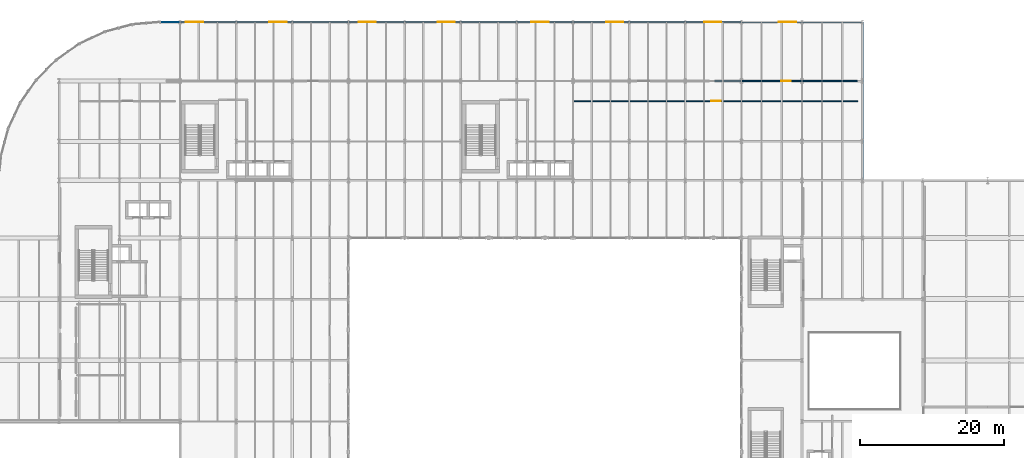
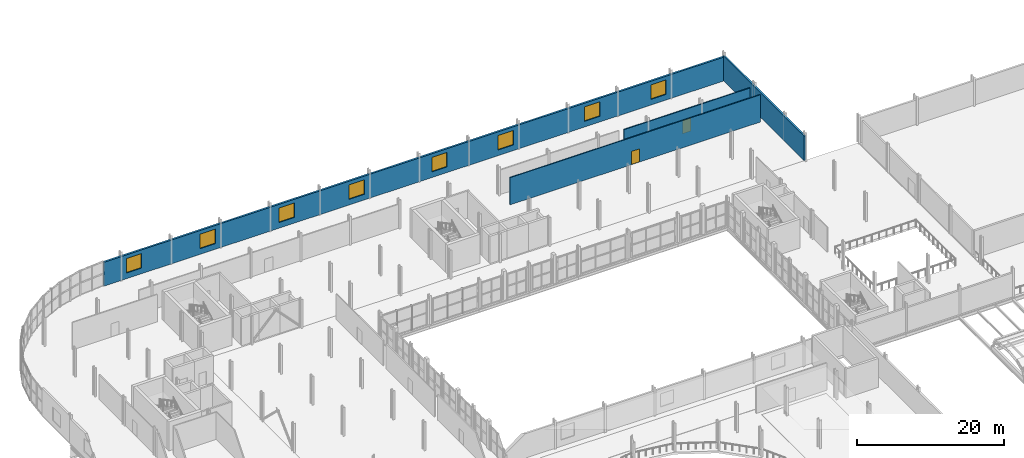
# One storey, part 53 of 63: 8 windows, 4 walls, 2 doors, 10 openings.
"""IFC4 building model written with IfcOpenShell, lengths in metres."""

from ifc_helpers import new_model, si_unit, direction, frame, frame_2d, origin, place, context, subcontext, project, spatial, rectangle, extrude, material, layer, layer_set, type_object, element, fill, save


model = new_model("IFC4")

# Units and contexts
model_context = context("Model", 3, precision=1e-05, world=origin(), true_north=direction((0.0, 1.0)))
body_context = subcontext(model_context, "Body", "Model", "MODEL_VIEW")
ifc_project = project(units=[si_unit("LENGTHUNIT", "METRE"), si_unit("AREAUNIT", "SQUARE_METRE"), si_unit("VOLUMEUNIT", "CUBIC_METRE"), si_unit("PLANEANGLEUNIT", "RADIAN"), si_unit("MASSUNIT", "GRAM", prefix="KILO")], contexts=[model_context])

# Site, building, storey
site_placement = place(None, origin())
site = spatial("IfcSite", under=ifc_project, at=site_placement, CompositionType="ELEMENT")
building_placement = place(site_placement, origin())
building = spatial("IfcBuilding", under=site, at=building_placement, Name="Sefraquen Railside Congress Hotel", CompositionType="ELEMENT")
storey_placement = place(building_placement, frame((0.0, 0.0, 11.39990234375)))
storey = spatial("IfcBuildingStorey", under=building, at=storey_placement, Name="L02", CompositionType="ELEMENT", Elevation=11.39990234375)

# Wall
ifc_material_1 = material(Name="Ochre Rabat calcarenite limestone and Concrete C40/50 backing", Category="masonry")
ifc_layer_1 = layer(ifc_material_1, 0.280029296875)
ifc_layer_set_1 = layer_set([ifc_layer_1], Name="Ochre Rabat calcarenite limestone and Concrete C40/50 backing")
wall_type_1 = type_object("IfcWallType", Name="TW-EW-280", PredefinedType="STANDARD", material=ifc_layer_set_1)
wall_1_placement = place(storey_placement, frame((120.0, 96.0, 0.0), z_axis=(0.0, 0.0, 1.0), x_axis=(0.0, 1.0, 0.0)))
element("IfcWall", 1, at=wall_1_placement, inside=storey, type_object=wall_type_1, Name="Hotel L02 east gable facade wall", PredefinedType="STANDARD", context=body_context, shape_type="SweptSolid", body=[
    extrude(rectangle(XDim=22.0, YDim=0.280029296875, at=frame_2d((11.0, 0.0))), origin(), (0.0, 0.0, 1.0), 4.110107421875),
])

# Wall, openings, windows
ifc_layer_2 = layer(ifc_material_1, 0.300048828125)
ifc_layer_set_2 = layer_set([ifc_layer_2], Name="Ochre Rabat calcarenite limestone and Concrete C40/50 backing")
wall_type_2 = type_object("IfcWallType", Name="TW-EW-300", PredefinedType="STANDARD", material=ifc_layer_set_2)
wall_2_placement = place(storey_placement, frame((22.5, 118.0, 0.0), z_axis=(0.0, 0.0, 1.0), x_axis=(1.0, 0.0, 0.0)))
wall_2 = element("IfcWall", 2, at=wall_2_placement, inside=storey, type_object=wall_type_2, Name="Hotel L02 North Boulevard limestone facade wall", PredefinedType="STANDARD", context=body_context, shape_type="SweptSolid", body=[
    extrude(rectangle(XDim=97.5, YDim=0.300048828125, at=frame_2d((48.75, 0.0))), origin(), (0.0, 0.0, 1.0), 3.960205078125),
])
opening_1_placement = place(wall_2_placement, frame((3.5, 0.0, 0.949951171875)))
opening_1 = element("IfcOpeningElement", 3, at=opening_1_placement, cuts=wall_2, Name="Opening WN-09", PredefinedType="OPENING", context=body_context, shape_type="SweptSolid", body=[
    extrude(rectangle(XDim=2.39990234375, YDim=2.39990234375, at=frame_2d((1.199951171875, 1.199951171875))), frame((0.0, 0.159912109375, 0.0), z_axis=(0.0, -1.0, 0.0), x_axis=(1.0, 0.0, 0.0)), (0.0, 0.0, 1.0), 0.320068359375),
])
opening_2_placement = place(wall_2_placement, frame((15.10009765625, 0.0, 0.949951171875)))
opening_2 = element("IfcOpeningElement", 4, at=opening_2_placement, cuts=wall_2, Name="Opening WN-09", PredefinedType="OPENING", context=body_context, shape_type="SweptSolid", body=[
    extrude(rectangle(XDim=2.39990234375, YDim=2.39990234375, at=frame_2d((1.199951171875, 1.199951171875))), frame((0.0, 0.159912109375, 0.0), z_axis=(0.0, -1.0, 0.0), x_axis=(1.0, 0.0, 0.0)), (0.0, 0.0, 1.0), 0.320068359375),
])
opening_3_placement = place(wall_2_placement, frame((27.5, 0.0, 0.949951171875)))
opening_3 = element("IfcOpeningElement", 5, at=opening_3_placement, cuts=wall_2, Name="Opening WN-09", PredefinedType="OPENING", context=body_context, shape_type="SweptSolid", body=[
    extrude(rectangle(XDim=2.39990234375, YDim=2.39990234375, at=frame_2d((1.199951171875, 1.199951171875))), frame((0.0, 0.159912109375, 0.0), z_axis=(0.0, -1.0, 0.0), x_axis=(1.0, 0.0, 0.0)), (0.0, 0.0, 1.0), 0.320068359375),
])
opening_4_placement = place(wall_2_placement, frame((38.5, 0.0, 0.949951171875)))
opening_4 = element("IfcOpeningElement", 6, at=opening_4_placement, cuts=wall_2, Name="Opening WN-09", PredefinedType="OPENING", context=body_context, shape_type="SweptSolid", body=[
    extrude(rectangle(XDim=2.39990234375, YDim=2.39990234375, at=frame_2d((1.199951171875, 1.199951171875))), frame((0.0, 0.159912109375, 0.0), z_axis=(0.0, -1.0, 0.0), x_axis=(1.0, 0.0, 0.0)), (0.0, 0.0, 1.0), 0.320068359375),
])
opening_5_placement = place(wall_2_placement, frame((51.5, 0.0, 0.949951171875)))
opening_5 = element("IfcOpeningElement", 7, at=opening_5_placement, cuts=wall_2, Name="Opening WN-09", PredefinedType="OPENING", context=body_context, shape_type="SweptSolid", body=[
    extrude(rectangle(XDim=2.39990234375, YDim=2.39990234375, at=frame_2d((1.199951171875, 1.199951171875))), frame((0.0, 0.159912109375, 0.0), z_axis=(0.0, -1.0, 0.0), x_axis=(1.0, 0.0, 0.0)), (0.0, 0.0, 1.0), 0.320068359375),
])
opening_6_placement = place(wall_2_placement, frame((61.89990234375, 0.0, 0.949951171875)))
opening_6 = element("IfcOpeningElement", 8, at=opening_6_placement, cuts=wall_2, Name="Opening WN-09", PredefinedType="OPENING", context=body_context, shape_type="SweptSolid", body=[
    extrude(rectangle(XDim=2.39990234375, YDim=2.39990234375, at=frame_2d((1.199951171875, 1.199951171875))), frame((0.0, 0.159912109375, 0.0), z_axis=(0.0, -1.0, 0.0), x_axis=(1.0, 0.0, 0.0)), (0.0, 0.0, 1.0), 0.320068359375),
])
opening_7_placement = place(wall_2_placement, frame((75.5, 0.0, 0.949951171875)))
opening_7 = element("IfcOpeningElement", 9, at=opening_7_placement, cuts=wall_2, Name="Opening WN-09", PredefinedType="OPENING", context=body_context, shape_type="SweptSolid", body=[
    extrude(rectangle(XDim=2.39990234375, YDim=2.39990234375, at=frame_2d((1.199951171875, 1.199951171875))), frame((0.0, 0.159912109375, 0.0), z_axis=(0.0, -1.0, 0.0), x_axis=(1.0, 0.0, 0.0)), (0.0, 0.0, 1.0), 0.320068359375),
])
opening_8_placement = place(wall_2_placement, frame((85.89990234375, 0.0, 0.949951171875)))
opening_8 = element("IfcOpeningElement", 10, at=opening_8_placement, cuts=wall_2, Name="Opening WN-09", PredefinedType="OPENING", context=body_context, shape_type="SweptSolid", body=[
    extrude(rectangle(XDim=2.39990234375, YDim=2.39990234375, at=frame_2d((1.199951171875, 1.199951171875))), frame((0.0, 0.159912109375, 0.0), z_axis=(0.0, -1.0, 0.0), x_axis=(1.0, 0.0, 0.0)), (0.0, 0.0, 1.0), 0.320068359375),
])
ifc_material_2 = material(Name="Solar-control low-E double glazing in bronze-anodised frame", Category="glass")
window_type = type_object("IfcWindowType", Name="TWN-W-09", PartitioningType="DOUBLE_PANEL_VERTICAL", PredefinedType="WINDOW", material=ifc_material_2)
window_1_placement = place(opening_1_placement, origin())
window_1 = element("IfcWindow", 11, at=window_1_placement, inside=storey, type_object=window_type, Name="Hotel L02 North arched window 1", OverallHeight=2.39990234375, OverallWidth=2.39990234375, PartitioningType="DOUBLE_PANEL_VERTICAL", PredefinedType="WINDOW", context=body_context, shape_type="SweptSolid", body=[
    extrude(rectangle(XDim=2.39990234375, YDim=2.39990234375, at=frame_2d((1.199951171875, 1.199951171875))), frame((0.0, 0.030029296875, 0.0), z_axis=(0.0, -1.0, 0.0), x_axis=(1.0, 0.0, 0.0)), (0.0, 0.0, 1.0), 0.06005859375),
])
fill(opening_1, window_1)
window_2_placement = place(opening_2_placement, origin())
window_2 = element("IfcWindow", 12, at=window_2_placement, inside=storey, type_object=window_type, Name="Hotel L02 North arched window 2", OverallHeight=2.39990234375, OverallWidth=2.39990234375, PartitioningType="DOUBLE_PANEL_VERTICAL", PredefinedType="WINDOW", context=body_context, shape_type="SweptSolid", body=[
    extrude(rectangle(XDim=2.39990234375, YDim=2.39990234375, at=frame_2d((1.199951171875, 1.199951171875))), frame((0.0, 0.030029296875, 0.0), z_axis=(0.0, -1.0, 0.0), x_axis=(1.0, 0.0, 0.0)), (0.0, 0.0, 1.0), 0.06005859375),
])
fill(opening_2, window_2)
window_3_placement = place(opening_3_placement, origin())
window_3 = element("IfcWindow", 13, at=window_3_placement, inside=storey, type_object=window_type, Name="Hotel L02 North arched window 3", OverallHeight=2.39990234375, OverallWidth=2.39990234375, PartitioningType="DOUBLE_PANEL_VERTICAL", PredefinedType="WINDOW", context=body_context, shape_type="SweptSolid", body=[
    extrude(rectangle(XDim=2.39990234375, YDim=2.39990234375, at=frame_2d((1.199951171875, 1.199951171875))), frame((0.0, 0.030029296875, 0.0), z_axis=(0.0, -1.0, 0.0), x_axis=(1.0, 0.0, 0.0)), (0.0, 0.0, 1.0), 0.06005859375),
])
fill(opening_3, window_3)
window_4_placement = place(opening_4_placement, origin())
window_4 = element("IfcWindow", 14, at=window_4_placement, inside=storey, type_object=window_type, Name="Hotel L02 North arched window 4", OverallHeight=2.39990234375, OverallWidth=2.39990234375, PartitioningType="DOUBLE_PANEL_VERTICAL", PredefinedType="WINDOW", context=body_context, shape_type="SweptSolid", body=[
    extrude(rectangle(XDim=2.39990234375, YDim=2.39990234375, at=frame_2d((1.199951171875, 1.199951171875))), frame((0.0, 0.030029296875, 0.0), z_axis=(0.0, -1.0, 0.0), x_axis=(1.0, 0.0, 0.0)), (0.0, 0.0, 1.0), 0.06005859375),
])
fill(opening_4, window_4)
window_5_placement = place(opening_5_placement, origin())
window_5 = element("IfcWindow", 15, at=window_5_placement, inside=storey, type_object=window_type, Name="Hotel L02 North arched window 5", OverallHeight=2.39990234375, OverallWidth=2.39990234375, PartitioningType="DOUBLE_PANEL_VERTICAL", PredefinedType="WINDOW", context=body_context, shape_type="SweptSolid", body=[
    extrude(rectangle(XDim=2.39990234375, YDim=2.39990234375, at=frame_2d((1.199951171875, 1.199951171875))), frame((0.0, 0.030029296875, 0.0), z_axis=(0.0, -1.0, 0.0), x_axis=(1.0, 0.0, 0.0)), (0.0, 0.0, 1.0), 0.06005859375),
])
fill(opening_5, window_5)
window_6_placement = place(opening_6_placement, origin())
window_6 = element("IfcWindow", 16, at=window_6_placement, inside=storey, type_object=window_type, Name="Hotel L02 North arched window 6", OverallHeight=2.39990234375, OverallWidth=2.39990234375, PartitioningType="DOUBLE_PANEL_VERTICAL", PredefinedType="WINDOW", context=body_context, shape_type="SweptSolid", body=[
    extrude(rectangle(XDim=2.39990234375, YDim=2.39990234375, at=frame_2d((1.199951171875, 1.199951171875))), frame((0.0, 0.030029296875, 0.0), z_axis=(0.0, -1.0, 0.0), x_axis=(1.0, 0.0, 0.0)), (0.0, 0.0, 1.0), 0.06005859375),
])
fill(opening_6, window_6)
window_7_placement = place(opening_7_placement, origin())
window_7 = element("IfcWindow", 17, at=window_7_placement, inside=storey, type_object=window_type, Name="Hotel L02 North arched window 7", OverallHeight=2.39990234375, OverallWidth=2.39990234375, PartitioningType="DOUBLE_PANEL_VERTICAL", PredefinedType="WINDOW", context=body_context, shape_type="SweptSolid", body=[
    extrude(rectangle(XDim=2.39990234375, YDim=2.39990234375, at=frame_2d((1.199951171875, 1.199951171875))), frame((0.0, 0.030029296875, 0.0), z_axis=(0.0, -1.0, 0.0), x_axis=(1.0, 0.0, 0.0)), (0.0, 0.0, 1.0), 0.06005859375),
])
fill(opening_7, window_7)
window_8_placement = place(opening_8_placement, origin())
window_8 = element("IfcWindow", 18, at=window_8_placement, inside=storey, type_object=window_type, Name="Hotel L02 North arched window 8", OverallHeight=2.39990234375, OverallWidth=2.39990234375, PartitioningType="DOUBLE_PANEL_VERTICAL", PredefinedType="WINDOW", context=body_context, shape_type="SweptSolid", body=[
    extrude(rectangle(XDim=2.39990234375, YDim=2.39990234375, at=frame_2d((1.199951171875, 1.199951171875))), frame((0.0, 0.030029296875, 0.0), z_axis=(0.0, -1.0, 0.0), x_axis=(1.0, 0.0, 0.0)), (0.0, 0.0, 1.0), 0.06005859375),
])
fill(opening_8, window_8)

# Wall, opening, door
ifc_material_3 = material(Name="Moisture-resistant gypsum board", Category="gypsum")
ifc_layer_3 = layer(ifc_material_3, 0.159912109375)
ifc_layer_set_3 = layer_set([ifc_layer_3], Name="Moisture-resistant gypsum board")
wall_type_3 = type_object("IfcWallType", Name="TW-PW-160", PredefinedType="PARTITIONING", material=ifc_layer_set_3)
wall_3_placement = place(storey_placement, frame((99.5, 109.800048828125, 0.0), z_axis=(0.0, 0.0, 1.0), x_axis=(1.0, 0.0, 0.0)))
wall_3 = element("IfcWall", 19, at=wall_3_placement, inside=storey, type_object=wall_type_3, Name="Executive Boardroom 02 enclosure wall", PredefinedType="PARTITIONING", context=body_context, shape_type="SweptSolid", body=[
    extrude(rectangle(XDim=19.800048828125, YDim=0.159912109375, at=frame_2d((9.89990234375, 0.0))), origin(), (0.0, 0.0, 1.0), 3.960205078125),
])
opening_9_placement = place(wall_3_placement, frame((9.25, 0.0, 0.0)))
opening_9 = element("IfcOpeningElement", 20, at=opening_9_placement, cuts=wall_3, Name="Opening MD-02", PredefinedType="OPENING", context=body_context, shape_type="SweptSolid", body=[
    extrude(rectangle(XDim=1.300048828125, YDim=2.199951171875, at=frame_2d((0.64990234375, 1.10009765625))), frame((0.0, 0.08984375, 0.0), z_axis=(0.0, -1.0, 0.0), x_axis=(1.0, 0.0, 0.0)), (0.0, 0.0, 1.0), 0.179931640625),
])
ifc_material_4 = material(Name="Acoustic cedar veneer", Category="wood")
door_type = type_object("IfcDoorType", Name="TD-MD-02", OperationType="NOTDEFINED", PredefinedType="DOOR", material=ifc_material_4)
door_1_placement = place(opening_9_placement, origin())
door_1 = element("IfcDoor", 21, at=door_1_placement, inside=storey, type_object=door_type, Name="Executive Boardroom 02 entrance door", OperationType="SINGLE_SWING_RIGHT", OverallHeight=2.199951171875, OverallWidth=1.300048828125, PredefinedType="DOOR", context=body_context, shape_type="SweptSolid", body=[
    extrude(rectangle(XDim=1.300048828125, YDim=2.199951171875, at=frame_2d((0.64990234375, 1.10009765625))), frame((0.0, 0.02490234375, 0.0), z_axis=(0.0, -1.0, 0.0), x_axis=(1.0, 0.0, 0.0)), (0.0, 0.0, 1.0), 0.050048828125),
])
fill(opening_9, door_1)

wall_4_placement = place(storey_placement, frame((80.0, 107.0, 0.0), z_axis=(0.0, 0.0, 1.0), x_axis=(1.0, 0.0, 0.0)))
wall_4 = element("IfcWall", 22, at=wall_4_placement, inside=storey, type_object=wall_type_3, Name="Hotel General Management and Administration Room enclosure wall", PredefinedType="PARTITIONING", context=body_context, shape_type="SweptSolid", body=[
    extrude(rectangle(XDim=39.35009765625, YDim=0.159912109375, at=frame_2d((19.675048828125, 0.0))), origin(), (0.0, 0.0, 1.0), 4.52001953125),
])
opening_10_placement = place(wall_4_placement, frame((19.02490234375, 0.0, 0.0)))
opening_10 = element("IfcOpeningElement", 23, at=opening_10_placement, cuts=wall_4, Name="Opening MD-02", PredefinedType="OPENING", context=body_context, shape_type="SweptSolid", body=[
    extrude(rectangle(XDim=1.300048828125, YDim=2.199951171875, at=frame_2d((0.64990234375, 1.10009765625))), frame((0.0, 0.08984375, 0.0), z_axis=(0.0, -1.0, 0.0), x_axis=(1.0, 0.0, 0.0)), (0.0, 0.0, 1.0), 0.179931640625),
])
door_2_placement = place(opening_10_placement, origin())
door_2 = element("IfcDoor", 24, at=door_2_placement, inside=storey, type_object=door_type, Name="Hotel General Management and Administration Room entrance door", OperationType="SINGLE_SWING_RIGHT", OverallHeight=2.199951171875, OverallWidth=1.300048828125, PredefinedType="DOOR", context=body_context, shape_type="SweptSolid", body=[
    extrude(rectangle(XDim=1.300048828125, YDim=2.199951171875, at=frame_2d((0.64990234375, 1.10009765625))), frame((0.0, 0.02490234375, 0.0), z_axis=(0.0, -1.0, 0.0), x_axis=(1.0, 0.0, 0.0)), (0.0, 0.0, 1.0), 0.050048828125),
])
fill(opening_10, door_2)

save(model, "model.ifc")
